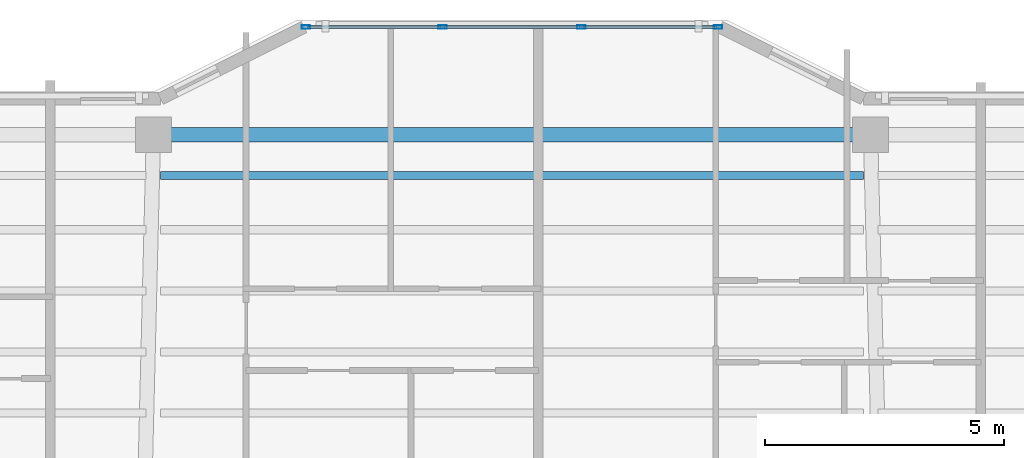
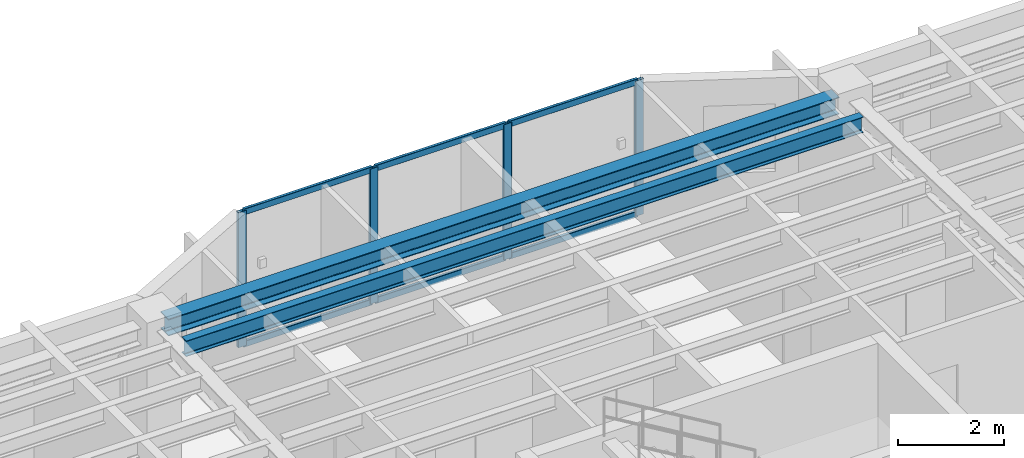
# One storey, part 2 of 12: 10 members, 2 beams, 1 element without a shape of its own.
"""IFC4 building model written with IfcOpenShell, lengths in metres."""

from ifc_helpers import new_model, si_unit, direction, frame, origin, origin_2d, place, context, subcontext, project, spatial, hollow_rectangle, i_section, extrude, material, layer, layer_set, material_profile, profile_set, type_object, element, aggregate, save


model = new_model("IFC4")

# Units and contexts
model_context = context("Model", 3, precision=1e-05, world=origin(), true_north=direction((0.0, 1.0)))
body_context = subcontext(model_context, "Body", "Model", "MODEL_VIEW")
ifc_project = project(units=[si_unit("LENGTHUNIT", "METRE"), si_unit("AREAUNIT", "SQUARE_METRE"), si_unit("VOLUMEUNIT", "CUBIC_METRE"), si_unit("PLANEANGLEUNIT", "RADIAN"), si_unit("MASSUNIT", "GRAM", prefix="KILO")], contexts=[model_context])

# Site, building, storey
site_placement = place(None, origin())
site = spatial("IfcSite", under=ifc_project, at=site_placement, CompositionType="ELEMENT")
building_placement = place(site_placement, origin())
building = spatial("IfcBuilding", under=site, at=building_placement, Name="Tarnavaz Court Tower", CompositionType="ELEMENT")
storey_placement = place(building_placement, frame((0.0, 0.0, 203.64990234375)))
storey = spatial("IfcBuildingStorey", under=building, at=storey_placement, Name="L55", CompositionType="ELEMENT", Elevation=203.64990234375)

# Beams
ifc_material_1 = material(Name="Steel S355", Category="steel")
ifc_material_profile_1 = material_profile(ifc_material_1, i_section(OverallWidth=0.169921875, OverallDepth=0.360107421875, WebThickness=0.008056640625, FlangeThickness=0.0126953125, FilletRadius=0.01806640625, at=origin_2d()), Name="IPE 360")
ifc_profile_set_1 = profile_set([ifc_material_profile_1], Name="Steel S355")
beam_type_1 = type_object("IfcBeamType", Name="BM-J-IPE360", PredefinedType="JOIST", material=ifc_profile_set_1)
beam_1_placement = place(storey_placement, frame((-7.35009765625, 19.248046875, 2.920166015625), z_axis=(1.0, 0.0, 0.0), x_axis=(0.0, 1.0, 0.0)))
element("IfcBeam", 1, at=beam_1_placement, inside=storey, type_object=beam_type_1, Name="L55 Beam JN5-2", PredefinedType="JOIST", context=body_context, shape_type="SweptSolid", body=[
    extrude(i_section(OverallWidth=0.169921875, OverallDepth=0.360107421875, WebThickness=0.008056640625, FlangeThickness=0.0126953125, FilletRadius=0.01806640625, at=origin_2d()), origin(), (0.0, 0.0, 1.0), 14.7001953125),
])
ifc_material_profile_2 = material_profile(ifc_material_1, i_section(OverallWidth=0.300048828125, OverallDepth=0.389892578125, WebThickness=0.010986328125, FlangeThickness=0.01904296875, FilletRadius=0.027099609375, at=origin_2d()), Name="HEA 400")
ifc_profile_set_2 = profile_set([ifc_material_profile_2], Name="Steel S355")
beam_type_2 = type_object("IfcBeamType", Name="BM-SP-HEA400", PredefinedType="BEAM", material=ifc_profile_set_2)
beam_2_placement = place(storey_placement, frame((-7.280029296875, 20.10009765625, 2.905029296875), z_axis=(1.0, 0.0, 0.0), x_axis=(0.0, 1.0, 0.0)))
element("IfcBeam", 2, at=beam_2_placement, inside=storey, type_object=beam_type_2, Name="L55 Beam PR-PN-2-PN-3", PredefinedType="BEAM", context=body_context, shape_type="SweptSolid", body=[
    extrude(i_section(OverallWidth=0.300048828125, OverallDepth=0.389892578125, WebThickness=0.010986328125, FlangeThickness=0.01904296875, FilletRadius=0.027099609375, at=origin_2d()), origin(), (0.0, 0.0, 1.0), 14.56005859375),
])

# Curtain wall, members
ifc_material_2 = material(Name="Anodised Aluminium 6063-T6 and Solar Low-E Glazing", Category="aluminium")
ifc_layer = layer(ifc_material_2, 0.159912109375)
ifc_layer_set = layer_set([ifc_layer], Name="Anodised Aluminium 6063-T6 and Solar Low-E Glazing")
curtain_wall_type = type_object("IfcCurtainWallType", Name="CW-SYS-03", PredefinedType="NOTDEFINED", material=ifc_layer_set)
curtain_wall_placement = place(storey_placement, origin())
curtain_wall = element("IfcCurtainWall", 3, at=curtain_wall_placement, inside=storey, type_object=curtain_wall_type, Name="L55 Iwan Prow Curtain Wall 7", PredefinedType="NOTDEFINED")
ifc_material_3 = material(Name="Anodised Aluminium 6063-T6", Category="aluminium")
ifc_material_profile_3 = material_profile(ifc_material_3, hollow_rectangle(XDim=0.074951171875, YDim=0.179931640625, WallThickness=0.0048828125, InnerFilletRadius=0.0048828125, OuterFilletRadius=0.010009765625, at=origin_2d()), Name="ALU RHS 180X75X5")
ifc_profile_set_3 = profile_set([ifc_material_profile_3], Name="Anodised Aluminium 6063-T6")
member_type_1 = type_object("IfcMemberType", Name="CW-MUL-180", PredefinedType="MULLION", material=ifc_profile_set_3)
member_1_placement = place(storey_placement, frame((-4.3125, 22.35009765625, 0.0), z_axis=(0.0, 0.0, 1.0), x_axis=(0.0, 1.0, 0.0)))
member_1 = element("IfcMember", 4, at=member_1_placement, type_object=member_type_1, Name="CW mullion 1", PredefinedType="MULLION", context=body_context, shape_type="SweptSolid", body=[
    extrude(hollow_rectangle(XDim=0.074951171875, YDim=0.179931640625, WallThickness=0.0048828125, InnerFilletRadius=0.0048828125, OuterFilletRadius=0.010009765625, at=origin_2d()), origin(), (0.0, 0.0, 1.0), 3.10009765625),
])
member_2_placement = place(storey_placement, frame((-1.449951171875, 22.35009765625, 0.0), z_axis=(0.0, 0.0, 1.0), x_axis=(0.0, 1.0, 0.0)))
member_2 = element("IfcMember", 5, at=member_2_placement, type_object=member_type_1, Name="CW mullion 2", PredefinedType="MULLION", context=body_context, shape_type="SweptSolid", body=[
    extrude(hollow_rectangle(XDim=0.074951171875, YDim=0.179931640625, WallThickness=0.0048828125, InnerFilletRadius=0.0048828125, OuterFilletRadius=0.010009765625, at=origin_2d()), origin(), (0.0, 0.0, 1.0), 3.10009765625),
])
member_3_placement = place(storey_placement, frame((1.449951171875, 22.35009765625, 0.0), z_axis=(0.0, 0.0, 1.0), x_axis=(0.0, 1.0, 0.0)))
member_3 = element("IfcMember", 6, at=member_3_placement, type_object=member_type_1, Name="CW mullion 3", PredefinedType="MULLION", context=body_context, shape_type="SweptSolid", body=[
    extrude(hollow_rectangle(XDim=0.074951171875, YDim=0.179931640625, WallThickness=0.0048828125, InnerFilletRadius=0.0048828125, OuterFilletRadius=0.010009765625, at=origin_2d()), origin(), (0.0, 0.0, 1.0), 3.10009765625),
])
member_4_placement = place(storey_placement, frame((4.3125, 22.35009765625, 0.0), z_axis=(0.0, 0.0, 1.0), x_axis=(0.0, 1.0, 0.0)))
member_4 = element("IfcMember", 7, at=member_4_placement, type_object=member_type_1, Name="CW mullion 4", PredefinedType="MULLION", context=body_context, shape_type="SweptSolid", body=[
    extrude(hollow_rectangle(XDim=0.074951171875, YDim=0.179931640625, WallThickness=0.0048828125, InnerFilletRadius=0.0048828125, OuterFilletRadius=0.010009765625, at=origin_2d()), origin(), (0.0, 0.0, 1.0), 3.10009765625),
])
ifc_material_profile_4 = material_profile(ifc_material_3, hollow_rectangle(XDim=0.06494140625, YDim=0.139892578125, WallThickness=0.00390625, InnerFilletRadius=0.00390625, OuterFilletRadius=0.008056640625, at=origin_2d()), Name="ALU RHS 140X65X4")
ifc_profile_set_4 = profile_set([ifc_material_profile_4], Name="Anodised Aluminium 6063-T6")
member_type_2 = type_object("IfcMemberType", Name="CW-TRN-140", PredefinedType="USERDEFINED", material=ifc_profile_set_4)
member_5_placement = place(storey_placement, frame((-4.27490234375, 22.35009765625, 0.03271484375), z_axis=(1.0, 0.0, 0.0), x_axis=(0.0, 1.0, 0.0)))
member_5 = element("IfcMember", 8, at=member_5_placement, type_object=member_type_2, Name="CW transom 1.1", ObjectType="TRANSOM", PredefinedType="USERDEFINED", context=body_context, shape_type="SweptSolid", body=[
    extrude(hollow_rectangle(XDim=0.06494140625, YDim=0.139892578125, WallThickness=0.00390625, InnerFilletRadius=0.00390625, OuterFilletRadius=0.008056640625, at=origin_2d()), origin(), (0.0, 0.0, 1.0), 2.787353515625),
])
member_6_placement = place(storey_placement, frame((-4.27490234375, 22.35009765625, 3.067626953125), z_axis=(1.0, 0.0, 0.0), x_axis=(0.0, 1.0, 0.0)))
member_6 = element("IfcMember", 9, at=member_6_placement, type_object=member_type_2, Name="CW transom 1.2", ObjectType="TRANSOM", PredefinedType="USERDEFINED", context=body_context, shape_type="SweptSolid", body=[
    extrude(hollow_rectangle(XDim=0.06494140625, YDim=0.139892578125, WallThickness=0.00390625, InnerFilletRadius=0.00390625, OuterFilletRadius=0.008056640625, at=origin_2d()), origin(), (0.0, 0.0, 1.0), 2.787353515625),
])
member_7_placement = place(storey_placement, frame((-1.41259765625, 22.35009765625, 0.03271484375), z_axis=(1.0, 0.0, 0.0), x_axis=(0.0, 1.0, 0.0)))
member_7 = element("IfcMember", 10, at=member_7_placement, type_object=member_type_2, Name="CW transom 2.1", ObjectType="TRANSOM", PredefinedType="USERDEFINED", context=body_context, shape_type="SweptSolid", body=[
    extrude(hollow_rectangle(XDim=0.06494140625, YDim=0.139892578125, WallThickness=0.00390625, InnerFilletRadius=0.00390625, OuterFilletRadius=0.008056640625, at=origin_2d()), origin(), (0.0, 0.0, 1.0), 2.8251953125),
])
member_8_placement = place(storey_placement, frame((-1.41259765625, 22.35009765625, 3.067626953125), z_axis=(1.0, 0.0, 0.0), x_axis=(0.0, 1.0, 0.0)))
member_8 = element("IfcMember", 11, at=member_8_placement, type_object=member_type_2, Name="CW transom 2.2", ObjectType="TRANSOM", PredefinedType="USERDEFINED", context=body_context, shape_type="SweptSolid", body=[
    extrude(hollow_rectangle(XDim=0.06494140625, YDim=0.139892578125, WallThickness=0.00390625, InnerFilletRadius=0.00390625, OuterFilletRadius=0.008056640625, at=origin_2d()), origin(), (0.0, 0.0, 1.0), 2.8251953125),
])
member_9_placement = place(storey_placement, frame((1.487548828125, 22.35009765625, 0.03271484375), z_axis=(1.0, 0.0, 0.0), x_axis=(0.0, 1.0, 0.0)))
member_9 = element("IfcMember", 12, at=member_9_placement, type_object=member_type_2, Name="CW transom 3.1", ObjectType="TRANSOM", PredefinedType="USERDEFINED", context=body_context, shape_type="SweptSolid", body=[
    extrude(hollow_rectangle(XDim=0.06494140625, YDim=0.139892578125, WallThickness=0.00390625, InnerFilletRadius=0.00390625, OuterFilletRadius=0.008056640625, at=origin_2d()), origin(), (0.0, 0.0, 1.0), 2.787353515625),
])
member_10_placement = place(storey_placement, frame((1.487548828125, 22.35009765625, 3.067626953125), z_axis=(1.0, 0.0, 0.0), x_axis=(0.0, 1.0, 0.0)))
member_10 = element("IfcMember", 13, at=member_10_placement, type_object=member_type_2, Name="CW transom 3.2", ObjectType="TRANSOM", PredefinedType="USERDEFINED", context=body_context, shape_type="SweptSolid", body=[
    extrude(hollow_rectangle(XDim=0.06494140625, YDim=0.139892578125, WallThickness=0.00390625, InnerFilletRadius=0.00390625, OuterFilletRadius=0.008056640625, at=origin_2d()), origin(), (0.0, 0.0, 1.0), 2.787353515625),
])
aggregate(curtain_wall, [member_1, member_2, member_3, member_4, member_5, member_6, member_7, member_8, member_9, member_10])

save(model, "model.ifc")
